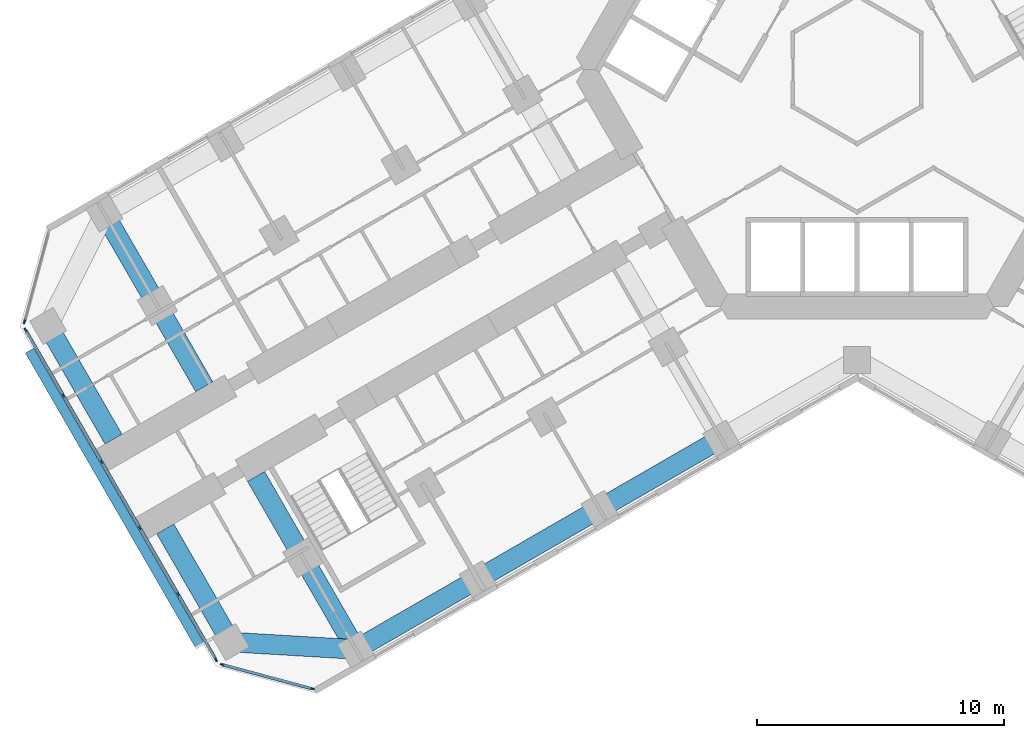
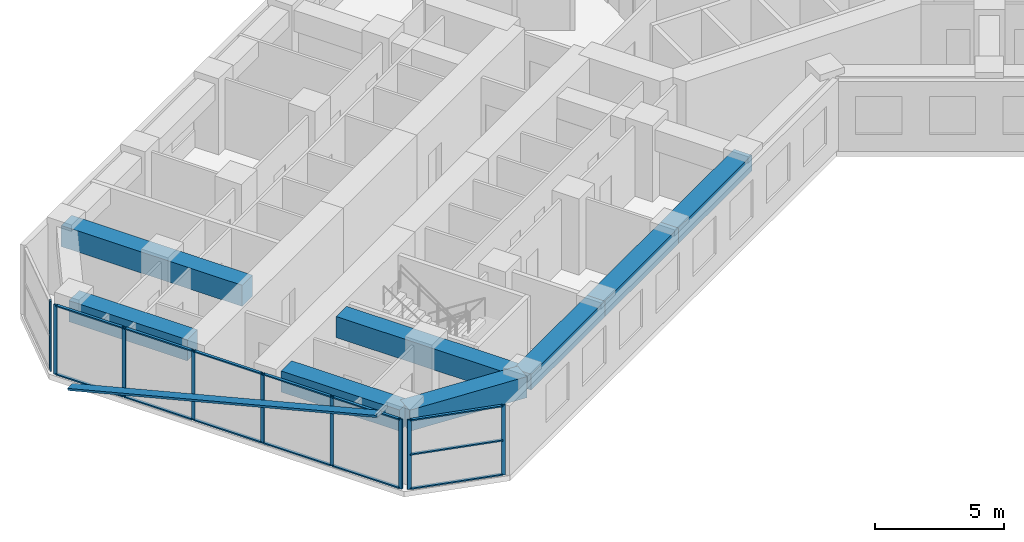
# One storey, part 2 of 21: 23 members, 8 beams, 3 elements without a shape of their own.
"""IFC4 building model written with IfcOpenShell, lengths in metres."""

import ifcopenshell
import ifcopenshell.guid

model = None  # the IFC model being written
_history = None  # IfcOwnerHistory: only IFC2X3 demands one
_inside = {}  # id of a spatial element -> (the spatial element, [elements in it])
_under = {}  # id of a project, library or spatial element -> (it, [spatial elements below it])
_declared = {}  # id of a project -> (the project, [libraries it declares])
_typed = {}  # id of a type object -> (the type object, [elements of that type])
_made_of = {}  # id of a material, layer set ... -> (it, [elements and type objects made of it])


def new_model(schema):
    """Start an empty IFC model of exactly this schema.

    Asked for "IFC4X3", IfcOpenShell would pick the latest addendum, in which some entities
    have other attributes; the version numbers below select the first issue.
    IFC2X3 requires an IfcOwnerHistory on every rooted entity: one is made here for all.
    """
    global model, _history
    if schema == "IFC4X3":
        model = ifcopenshell.file(schema_version=(4, 3, 0, 0))
    else:
        model = ifcopenshell.file(schema=schema)
    _inside.clear()
    _under.clear()
    _declared.clear()
    _typed.clear()
    _made_of.clear()
    _history = None
    if model.schema == "IFC2X3":
        org = make("IfcOrganization", Name="unknown")
        user = make(
            "IfcPersonAndOrganization",
            ThePerson=make("IfcPerson", FamilyName="unknown"),
            TheOrganization=org,
        )
        app = make(
            "IfcApplication",
            ApplicationDeveloper=org,
            Version="unknown",
            ApplicationFullName="unknown",
            ApplicationIdentifier="unknown",
        )
        _history = make(
            "IfcOwnerHistory",
            OwningUser=user,
            OwningApplication=app,
            ChangeAction="ADDED",
            CreationDate=0,
        )
    return model


def make(cls, **values):
    """One entity of the class cls with the attributes given. An attribute that is None is left unset."""
    return model.create_entity(
        cls, **{name: value for name, value in values.items() if value is not None}
    )


def rooted(cls, **values):
    """An entity with a GlobalId (a new one), such as an element, a storey or a relation."""
    return make(cls, GlobalId=ifcopenshell.guid.new(), OwnerHistory=_history, **values)


def si_unit(unit_type, name, prefix=None):
    """IfcSIUnit, for example si_unit("LENGTHUNIT", "METRE", prefix="MILLI")."""
    return make("IfcSIUnit", UnitType=unit_type, Prefix=prefix, Name=name)


def assignment(units):
    """IfcUnitAssignment: the units of a project."""
    return None if units is None else make("IfcUnitAssignment", Units=units)


def point(xyz):
    """IfcCartesianPoint."""
    return None if xyz is None else make("IfcCartesianPoint", Coordinates=xyz)


def direction(xyz):
    """IfcDirection."""
    return None if xyz is None else make("IfcDirection", DirectionRatios=xyz)


def frame(location, z_axis=None, x_axis=None):
    """IfcAxis2Placement3D, a coordinate frame: its origin and axes. An axis left out is left unset."""
    return make(
        "IfcAxis2Placement3D",
        Location=point(location),
        Axis=direction(z_axis),
        RefDirection=direction(x_axis),
    )


def frame_2d(location, x_axis=None):
    """IfcAxis2Placement2D, a coordinate frame in the plane: its origin and x axis."""
    return make(
        "IfcAxis2Placement2D", Location=point(location), RefDirection=direction(x_axis)
    )


def origin():
    """The frame at (0, 0, 0) with its axes left unset."""
    return frame((0.0, 0.0, 0.0))


def origin_2d():
    """The frame at (0, 0) in the plane with its x axis left unset."""
    return frame_2d((0.0, 0.0))


def place(relative_to, where):
    """IfcLocalPlacement: puts the frame where relative to a parent placement (None: the world)."""
    return make(
        "IfcLocalPlacement", PlacementRelTo=relative_to, RelativePlacement=where
    )


def context(
    kind, dimensions, precision=None, world=None, true_north=None, identifier=None
):
    """IfcGeometricRepresentationContext, for example the 3D "Model" context."""
    return make(
        "IfcGeometricRepresentationContext",
        ContextIdentifier=identifier,
        ContextType=kind,
        CoordinateSpaceDimension=dimensions,
        Precision=precision,
        WorldCoordinateSystem=world,
        TrueNorth=true_north,
    )


def subcontext(parent, identifier, kind, view, scale=None):
    """IfcGeometricRepresentationSubContext, for example "Body" below "Model"."""
    return make(
        "IfcGeometricRepresentationSubContext",
        ContextIdentifier=identifier,
        ContextType=kind,
        ParentContext=parent,
        TargetScale=scale,
        TargetView=view,
    )


def project(units=None, contexts=None):
    """IfcProject with its units and contexts."""
    return rooted(
        "IfcProject",
        Name="project",
        RepresentationContexts=contexts,
        UnitsInContext=assignment(units),
    )


def spatial(cls, under=None, at=None, **own):
    """A site, building, storey or space (cls), placed at a placement, below another one or the project."""
    s = rooted(cls, ObjectPlacement=at, **own)
    if under is not None:
        _under.setdefault(under.id(), (under, []))[1].append(s)
    return s


def profile(cls, at=None, kind="AREA", **sizes):
    """A parametric profile (cls). Its sizes go by their IFC names, for example OverallWidth=200.0."""
    return make(cls, ProfileType=kind, Position=at, **sizes)


def rectangle(**sizes):
    """IfcRectangleProfileDef."""
    return profile("IfcRectangleProfileDef", **sizes)


def extrude(swept, where, along, depth):
    """IfcExtrudedAreaSolid: the profile swept, set in the frame where, extruded along a direction by depth."""
    return make(
        "IfcExtrudedAreaSolid",
        SweptArea=swept,
        Position=where,
        ExtrudedDirection=direction(along),
        Depth=depth,
    )


def shape(context_of_items, identifier, shape_type, items):
    """IfcShapeRepresentation: the items that make up one representation, for example the "Body"."""
    return make(
        "IfcShapeRepresentation",
        ContextOfItems=context_of_items,
        RepresentationIdentifier=identifier,
        RepresentationType=shape_type,
        Items=items,
    )


def material(Name=None, Category=None):
    """IfcMaterial."""
    return make("IfcMaterial", Name=Name, Category=Category)


def material_profile(
    of_material, cross_section, Name=None, Category=None, Priority=None
):
    """IfcMaterialProfile: a cross section and its material."""
    return make(
        "IfcMaterialProfile",
        Name=Name,
        Material=of_material,
        Profile=cross_section,
        Priority=Priority,
        Category=Category,
    )


def profile_set(profiles, Name=None, composite=None):
    """IfcMaterialProfileSet."""
    return make(
        "IfcMaterialProfileSet",
        Name=Name,
        MaterialProfiles=profiles,
        CompositeProfile=composite,
    )


def made_of(thing, what):
    """Note that an element or type object is made of a material, layer set ...; save() writes the relation."""
    if what is not None:
        _made_of.setdefault(what.id(), (what, []))[1].append(thing)
    return thing


def type_object(cls, material=None, **own):
    """A type object (cls), such as IfcWallType, which elements share."""
    return made_of(rooted(cls, **own), material)


def element(
    cls,
    number,
    at=None,
    inside=None,
    cuts=None,
    type_object=None,
    material=None,
    context=None,
    identifier="Body",
    shape_type=None,
    held_by="IfcProductDefinitionShape",
    body=None,
    shapes=None,
    **own,
):
    """One element of the class cls, such as IfcWall. Its Tag is "e" and its number.

    at: its placement. inside: the storey or other place that contains it. cuts: it is an
    opening in that element (IfcRelVoidsElement). A single representation is given by context,
    identifier, shape_type and body (its items); several are given by shapes. held_by: the class
    of the entity that holds the representations. save() writes the other relations.
    """
    e = rooted(cls, Tag="e%d" % number, ObjectPlacement=at, **own)
    if body is not None:
        shapes = [shape(context, identifier, shape_type, body)]
    if shapes is not None:
        e.Representation = make(held_by, Representations=shapes)
    if inside is not None:
        _inside.setdefault(inside.id(), (inside, []))[1].append(e)
    if cuts is not None:
        rooted(
            "IfcRelVoidsElement", RelatingBuildingElement=cuts, RelatedOpeningElement=e
        )
    if type_object is not None:
        _typed.setdefault(type_object.id(), (type_object, []))[1].append(e)
    return made_of(e, material)


def aggregate(whole, parts):
    """IfcRelAggregates: a whole, such as a stair, and the parts it consists of."""
    return rooted("IfcRelAggregates", RelatingObject=whole, RelatedObjects=parts)


def save(model, path):
    """Write the relations noted so far, then the file.

    IfcRelAggregates (storeys below a building ...), IfcRelContainedInSpatialStructure (elements
    in a storey), IfcRelDefinesByType, IfcRelAssociatesMaterial and IfcRelDeclares: one each for
    every whole, place, type object, material and project.
    """
    for whole, parts in _under.values():
        aggregate(whole, parts)
    for where, things in _inside.values():
        rooted(
            "IfcRelContainedInSpatialStructure",
            RelatedElements=things,
            RelatingStructure=where,
        )
    for kind, things in _typed.values():
        rooted("IfcRelDefinesByType", RelatedObjects=things, RelatingType=kind)
    for what, things in _made_of.values():
        rooted("IfcRelAssociatesMaterial", RelatedObjects=things, RelatingMaterial=what)
    for by, libraries in _declared.values():
        rooted("IfcRelDeclares", RelatingContext=by, RelatedDefinitions=libraries)
    model.write(path)


model = new_model("IFC4")

# Units and contexts
model_context = context("Model", 3, precision=1e-05, world=origin(), true_north=direction((0.0, 1.0)))
body_context = subcontext(model_context, "Body", "Model", "MODEL_VIEW")
ifc_project = project(units=[si_unit("LENGTHUNIT", "METRE"), si_unit("AREAUNIT", "SQUARE_METRE"), si_unit("VOLUMEUNIT", "CUBIC_METRE"), si_unit("PLANEANGLEUNIT", "RADIAN"), si_unit("MASSUNIT", "GRAM", prefix="KILO")], contexts=[model_context])

# Site, building, storey
site_placement = place(None, origin())
site = spatial("IfcSite", under=ifc_project, at=site_placement, CompositionType="ELEMENT")
building_placement = place(site_placement, origin())
building = spatial("IfcBuilding", under=site, at=building_placement, Name="Kosmar Iwan School Tower", CompositionType="ELEMENT")
storey_placement = place(building_placement, frame((0.0, 0.0, 28.800048828125)))
storey = spatial("IfcBuildingStorey", under=building, at=storey_placement, Name="L06", CompositionType="ELEMENT", Elevation=28.800048828125)

# Beams
ifc_material_1 = material(Name="Concrete C50/60", Category="concrete")
ifc_material_profile_1 = material_profile(ifc_material_1, rectangle(XDim=0.800048828125, YDim=0.75, at=origin_2d()), Name="RC 800x750 + HD 400x634")
ifc_profile_set_1 = profile_set([ifc_material_profile_1], Name="Concrete C50/60")
beam_type_1 = type_object("IfcBeamType", Name="Composite edge beam 800x750 HD 400x634", PredefinedType="BEAM", material=ifc_profile_set_1)
beam_1_placement = place(storey_placement, frame((-5.5087890625, -14.95849609375, 2.925048828125), z_axis=(-0.866033658841, -0.49998570155, 0.0), x_axis=(0.49998570155, -0.866033658841, 0.0)))
element("IfcBeam", 1, at=beam_1_placement, inside=storey, type_object=beam_type_1, Name="Edge beam BL2", PredefinedType="BEAM", context=body_context, shape_type="SweptSolid", body=[
    extrude(rectangle(XDim=0.800048828125, YDim=0.75, at=origin_2d()), origin(), (0.0, 0.0, 1.0), 5.699951171875),
])
beam_2_placement = place(storey_placement, frame((-10.445068359375, -17.808349609375, 2.925048828125), z_axis=(-0.866025820012, -0.499999279071, 0.0), x_axis=(0.499999279071, -0.866025820012, 0.0)))
element("IfcBeam", 2, at=beam_2_placement, inside=storey, type_object=beam_type_1, Name="Edge beam BL3", PredefinedType="BEAM", context=body_context, shape_type="SweptSolid", body=[
    extrude(rectangle(XDim=0.800048828125, YDim=0.75, at=origin_2d()), origin(), (0.0, 0.0, 1.0), 5.7001953125),
])
beam_3_placement = place(storey_placement, frame((-15.381591796875, -20.658447265625, 2.925048828125), z_axis=(-0.866015111908, -0.50001782563, 0.0), x_axis=(0.50001782563, -0.866015111908, 0.0)))
element("IfcBeam", 3, at=beam_3_placement, inside=storey, type_object=beam_type_1, Name="Edge beam BL4", PredefinedType="BEAM", context=body_context, shape_type="SweptSolid", body=[
    extrude(rectangle(XDim=0.800048828125, YDim=0.75, at=origin_2d()), origin(), (0.0, 0.0, 1.0), 5.699951171875),
])
ifc_material_2 = material(Name="Concrete C50/60", Category="concrete")
ifc_material_profile_2 = material_profile(ifc_material_2, rectangle(XDim=0.800048828125, YDim=1.0, at=origin_2d()), Name="RC 800x1000 + HD 400x347")
ifc_profile_set_2 = profile_set([ifc_material_profile_2], Name="Concrete C50/60")
beam_type_2 = type_object("IfcBeamType", Name="Composite tip beam 800x1000 HD 400x347", PredefinedType="BEAM", material=ifc_profile_set_2)
beam_4_placement = place(storey_placement, frame((-20.31787109375, -23.508544921875, 2.800048828125), z_axis=(-0.998260616478, 0.058955420358, 0.0), x_axis=(-0.058955420358, -0.998260616478, 0.0)))
element("IfcBeam", 4, at=beam_4_placement, inside=storey, type_object=beam_type_2, Name="Tip beam BL", PredefinedType="BEAM", context=body_context, shape_type="SweptSolid", body=[
    extrude(rectangle(XDim=0.800048828125, YDim=1.0, at=origin_2d()), origin(), (0.0, 0.0, 1.0), 5.08935546875),
])
beam_5_placement = place(storey_placement, frame((-25.3984375, -23.20849609375, 2.800048828125), z_axis=(-0.499993606316, 0.866029095148, 0.0), x_axis=(-0.866029095148, -0.499993606316, 0.0)))
element("IfcBeam", 5, at=beam_5_placement, inside=storey, type_object=beam_type_2, Name="Tip beam BL to corridor wall", PredefinedType="BEAM", context=body_context, shape_type="SweptSolid", body=[
    extrude(rectangle(XDim=0.800048828125, YDim=1.0, at=origin_2d()), origin(), (0.0, 0.0, 1.0), 5.2998046875),
])
beam_6_placement = place(storey_placement, frame((-32.79833984375, -10.391357421875, 2.800048828125), z_axis=(0.499973660256, -0.866040610509, 0.0), x_axis=(0.866040610509, 0.499973660256, 0.0)))
element("IfcBeam", 6, at=beam_6_placement, inside=storey, type_object=beam_type_2, Name="Tip beam BR to corridor wall", PredefinedType="BEAM", context=body_context, shape_type="SweptSolid", body=[
    extrude(rectangle(XDim=0.800048828125, YDim=1.0, at=origin_2d()), origin(), (0.0, 0.0, 1.0), 5.300048828125),
])
ifc_material_3 = material(Name="Concrete C50/60", Category="concrete")
ifc_material_profile_3 = material_profile(ifc_material_3, rectangle(XDim=0.800048828125, YDim=1.0, at=origin_2d()), Name="RC 800x1000 + HD 400x634")
ifc_profile_set_3 = profile_set([ifc_material_profile_3], Name="Concrete C50/60")
beam_type_3 = type_object("IfcBeamType", Name="Composite transverse beam 800x1000 HD 400x634", PredefinedType="BEAM", material=ifc_profile_set_3)
for number, where, z_axis, x_axis, name in (
    (7, (-20.31787109375, -23.508544921875, 2.800048828125), (-0.499999880539, 0.866025472755, 0.0), (-0.866025472755, -0.499999880539, 0.0), "Transverse beam BL4"),
    (8, (-30.517822265625, -5.841552734375, 2.800048828125), (0.499999880539, -0.866025472755, 0.0), (0.866025472755, 0.499999880539, 0.0), "Transverse beam BR4"),
):
    element("IfcBeam", number, at=place(storey_placement, frame(where, z_axis=z_axis, x_axis=x_axis)), inside=storey, type_object=beam_type_3, Name=name, PredefinedType="BEAM", context=body_context, shape_type="SweptSolid", body=[
        extrude(rectangle(XDim=0.800048828125, YDim=1.0, at=origin_2d()), origin(), (0.0, 0.0, 1.0), 8.10009765625),
    ])

# Member
ifc_material_4 = material(Name="Black anodised aluminium", Category="aluminium")
ifc_material_profile_4 = material_profile(ifc_material_4, rectangle(XDim=0.10009765625, YDim=0.39990234375, at=origin_2d()), Name="FIN 100x400")
ifc_profile_set_4 = profile_set([ifc_material_profile_4], Name="Black anodised aluminium")
member_type_1 = type_object("IfcMemberType", Name="Diagonal fin 100x400", PredefinedType="USERDEFINED", material=ifc_profile_set_4)
member_1_placement = place(storey_placement, frame((-33.54345703125, -11.40087890625, -0.150146484375), z_axis=(0.484219792667, -0.838708782627, 0.249196248635), x_axis=(-0.124596397335, 0.21581127891, 0.968453008497)))
element("IfcMember", 9, at=member_1_placement, inside=storey, type_object=member_type_1, Name="Diagonal fin L06-F13", ObjectType="FIN", PredefinedType="USERDEFINED", context=body_context, shape_type="SweptSolid", body=[
    extrude(rectangle(XDim=0.10009765625, YDim=0.39990234375, at=origin_2d()), origin(), (0.0, 0.0, 1.0), 14.24609375),
])

# Curtain wall, member
ifc_material_5 = material(Name="Dark glass in black aluminium frame", Category="aluminium")
curtain_wall_type_1 = type_object("IfcCurtainWallType", Name="Chamfer curtain wall dark glass", PredefinedType="USERDEFINED", material=ifc_material_5)
curtain_wall_1_placement = place(storey_placement, origin())
curtain_wall_1 = element("IfcCurtainWall", 10, at=curtain_wall_1_placement, inside=storey, type_object=curtain_wall_type_1, Name="Curtain wall L06-F12", ObjectType="FACETED CURTAIN WALL", PredefinedType="USERDEFINED")
ifc_material_6 = material(Name="Black anodised aluminium", Category="aluminium")
ifc_material_profile_5 = material_profile(ifc_material_6, rectangle(XDim=0.06005859375, YDim=0.159912109375, at=origin_2d()), Name="MULLION 60x160")
ifc_profile_set_5 = profile_set([ifc_material_profile_5], Name="Black anodised aluminium")
member_type_2 = type_object("IfcMemberType", Name="Mullion 60x160", PredefinedType="MULLION", material=ifc_profile_set_5)
member_2_placement = place(storey_placement, frame((-33.7587890625, -10.2236328125, 0.0), z_axis=(0.0, 0.0, 1.0), x_axis=(0.965925875495, -0.258818861462, 0.0)))
member_2 = element("IfcMember", 11, at=member_2_placement, type_object=member_type_2, Name="CW2 mullion 2", PredefinedType="MULLION", context=body_context, shape_type="SweptSolid", body=[
    extrude(rectangle(XDim=0.06005859375, YDim=0.159912109375, at=origin_2d()), origin(), (0.0, 0.0, 1.0), 3.300048828125),
])
aggregate(curtain_wall_1, [member_2])

# Curtain wall, members
ifc_material_7 = material(Name="Dark glass in black aluminium frame", Category="aluminium")
curtain_wall_type_2 = type_object("IfcCurtainWallType", Name="Tower curtain wall dark glass", PredefinedType="USERDEFINED", material=ifc_material_7)
curtain_wall_2_placement = place(storey_placement, origin())
curtain_wall_2 = element("IfcCurtainWall", 12, at=curtain_wall_2_placement, inside=storey, type_object=curtain_wall_type_2, Name="Curtain wall L06-F13", ObjectType="UNITISED CURTAIN WALL", PredefinedType="USERDEFINED")
member_3_placement = place(storey_placement, frame((-33.71533203125, -10.55322265625, 0.0), z_axis=(0.0, 0.0, 1.0), x_axis=(0.866025405329, 0.499999997325, 0.0)))
member_3 = element("IfcMember", 13, at=member_3_placement, type_object=member_type_2, Name="CW1 mullion 1", PredefinedType="MULLION", context=body_context, shape_type="SweptSolid", body=[
    extrude(rectangle(XDim=0.06005859375, YDim=0.159912109375, at=origin_2d()), origin(), (0.0, 0.0, 1.0), 3.300048828125),
])
member_4_placement = place(storey_placement, frame((-32.1806640625, -13.21142578125, 0.0), z_axis=(0.0, 0.0, 1.0), x_axis=(0.866025405329, 0.499999997325, 0.0)))
member_4 = element("IfcMember", 14, at=member_4_placement, type_object=member_type_2, Name="CW1 mullion 2", PredefinedType="MULLION", context=body_context, shape_type="SweptSolid", body=[
    extrude(rectangle(XDim=0.06005859375, YDim=0.159912109375, at=origin_2d()), origin(), (0.0, 0.0, 1.0), 3.300048828125),
])
member_5_placement = place(storey_placement, frame((-30.631103515625, -15.8955078125, 0.0), z_axis=(0.0, 0.0, 1.0), x_axis=(0.866025405329, 0.499999997325, 0.0)))
member_5 = element("IfcMember", 15, at=member_5_placement, type_object=member_type_2, Name="CW1 mullion 3", PredefinedType="MULLION", context=body_context, shape_type="SweptSolid", body=[
    extrude(rectangle(XDim=0.06005859375, YDim=0.159912109375, at=origin_2d()), origin(), (0.0, 0.0, 1.0), 3.300048828125),
])
member_6_placement = place(storey_placement, frame((-29.081298828125, -18.57958984375, 0.0), z_axis=(0.0, 0.0, 1.0), x_axis=(0.866025405329, 0.499999997325, 0.0)))
member_6 = element("IfcMember", 16, at=member_6_placement, type_object=member_type_2, Name="CW1 mullion 4", PredefinedType="MULLION", context=body_context, shape_type="SweptSolid", body=[
    extrude(rectangle(XDim=0.06005859375, YDim=0.159912109375, at=origin_2d()), origin(), (0.0, 0.0, 1.0), 3.300048828125),
])
member_7_placement = place(storey_placement, frame((-27.53173828125, -21.263671875, 0.0), z_axis=(0.0, 0.0, 1.0), x_axis=(0.866025405329, 0.499999997325, 0.0)))
member_7 = element("IfcMember", 17, at=member_7_placement, type_object=member_type_2, Name="CW1 mullion 5", PredefinedType="MULLION", context=body_context, shape_type="SweptSolid", body=[
    extrude(rectangle(XDim=0.06005859375, YDim=0.159912109375, at=origin_2d()), origin(), (0.0, 0.0, 1.0), 3.300048828125),
])
member_8_placement = place(storey_placement, frame((-25.9970703125, -23.921630859375, 0.0), z_axis=(0.0, 0.0, 1.0), x_axis=(0.866025405329, 0.499999997325, 0.0)))
member_8 = element("IfcMember", 18, at=member_8_placement, type_object=member_type_2, Name="CW1 mullion 6", PredefinedType="MULLION", context=body_context, shape_type="SweptSolid", body=[
    extrude(rectangle(XDim=0.06005859375, YDim=0.159912109375, at=origin_2d()), origin(), (0.0, 0.0, 1.0), 3.300048828125),
])

curtain_wall_3_placement = place(storey_placement, origin())
curtain_wall_3 = element("IfcCurtainWall", 19, at=curtain_wall_3_placement, inside=storey, type_object=curtain_wall_type_1, Name="Curtain wall L06-F14", ObjectType="FACETED CURTAIN WALL", PredefinedType="USERDEFINED")
member_9_placement = place(storey_placement, frame((-25.733154296875, -24.124267578125, 0.0), z_axis=(0.0, 0.0, 1.0), x_axis=(0.258818861462, 0.965925875495, 0.0)))
member_9 = element("IfcMember", 20, at=member_9_placement, type_object=member_type_2, Name="CW2 mullion 1", PredefinedType="MULLION", context=body_context, shape_type="SweptSolid", body=[
    extrude(rectangle(XDim=0.06005859375, YDim=0.159912109375, at=origin_2d()), origin(), (0.0, 0.0, 1.0), 3.300048828125),
])
member_10_placement = place(storey_placement, frame((-22.0830078125, -25.102294921875, 0.0), z_axis=(0.0, 0.0, 1.0), x_axis=(0.258818861462, 0.965925875495, 0.0)))
member_10 = element("IfcMember", 21, at=member_10_placement, type_object=member_type_2, Name="CW2 mullion 2", PredefinedType="MULLION", context=body_context, shape_type="SweptSolid", body=[
    extrude(rectangle(XDim=0.06005859375, YDim=0.159912109375, at=origin_2d()), origin(), (0.0, 0.0, 1.0), 3.300048828125),
])

# Member
ifc_material_8 = material(Name="Black anodised aluminium", Category="aluminium")
ifc_material_profile_6 = material_profile(ifc_material_8, rectangle(XDim=0.1201171875, YDim=0.06005859375, at=origin_2d()), Name="TRANSOM 60x120")
ifc_profile_set_6 = profile_set([ifc_material_profile_6], Name="Black anodised aluminium")
member_type_3 = type_object("IfcMemberType", Name="Transom 60x120", PredefinedType="USERDEFINED", material=ifc_profile_set_6)
member_11_placement = place(storey_placement, frame((-33.700439453125, -10.579345703125, 0.030029296875), z_axis=(0.500022102064, -0.866012642776, 0.0), x_axis=(0.866012642776, 0.500022102064, 0.0)))
member_11 = element("IfcMember", 22, at=member_11_placement, type_object=member_type_3, Name="CW1 transom 1.1", ObjectType="TRANSOM", PredefinedType="USERDEFINED", context=body_context, shape_type="SweptSolid", body=[
    extrude(rectangle(XDim=0.1201171875, YDim=0.06005859375, at=origin_2d()), origin(), (0.0, 0.0, 1.0), 3.009033203125),
])

member_12_placement = place(storey_placement, frame((-33.700439453125, -10.579345703125, 3.27001953125), z_axis=(0.500022102064, -0.866012642776, 0.0), x_axis=(0.866012642776, 0.500022102064, 0.0)))
member_12 = element("IfcMember", 23, at=member_12_placement, type_object=member_type_3, Name="CW1 transom 1.2", ObjectType="TRANSOM", PredefinedType="USERDEFINED", context=body_context, shape_type="SweptSolid", body=[
    extrude(rectangle(XDim=0.1201171875, YDim=0.06005859375, at=origin_2d()), origin(), (0.0, 0.0, 1.0), 3.009033203125),
])

member_13_placement = place(storey_placement, frame((-32.165771484375, -13.2373046875, 0.030029296875), z_axis=(0.500035348339, -0.866004994449, 0.0), x_axis=(0.866004994449, 0.500035348339, 0.0)))
member_13 = element("IfcMember", 24, at=member_13_placement, type_object=member_type_3, Name="CW1 transom 2.1", ObjectType="TRANSOM", PredefinedType="USERDEFINED", context=body_context, shape_type="SweptSolid", body=[
    extrude(rectangle(XDim=0.1201171875, YDim=0.06005859375, at=origin_2d()), origin(), (0.0, 0.0, 1.0), 3.039306640625),
])

member_14_placement = place(storey_placement, frame((-32.165771484375, -13.2373046875, 3.27001953125), z_axis=(0.500035348339, -0.866004994449, 0.0), x_axis=(0.866004994449, 0.500035348339, 0.0)))
member_14 = element("IfcMember", 25, at=member_14_placement, type_object=member_type_3, Name="CW1 transom 2.2", ObjectType="TRANSOM", PredefinedType="USERDEFINED", context=body_context, shape_type="SweptSolid", body=[
    extrude(rectangle(XDim=0.1201171875, YDim=0.06005859375, at=origin_2d()), origin(), (0.0, 0.0, 1.0), 3.039306640625),
])

member_15_placement = place(storey_placement, frame((-30.615966796875, -15.92138671875, 0.030029296875), z_axis=(0.499975102327, -0.866039777986, 0.0), x_axis=(0.866039777986, 0.499975102327, 0.0)))
member_15 = element("IfcMember", 26, at=member_15_placement, type_object=member_type_3, Name="CW1 transom 3.1", ObjectType="TRANSOM", PredefinedType="USERDEFINED", context=body_context, shape_type="SweptSolid", body=[
    extrude(rectangle(XDim=0.1201171875, YDim=0.06005859375, at=origin_2d()), origin(), (0.0, 0.0, 1.0), 3.039306640625),
])

member_16_placement = place(storey_placement, frame((-30.615966796875, -15.92138671875, 3.27001953125), z_axis=(0.499975102327, -0.866039777986, 0.0), x_axis=(0.866039777986, 0.499975102327, 0.0)))
member_16 = element("IfcMember", 27, at=member_16_placement, type_object=member_type_3, Name="CW1 transom 3.2", ObjectType="TRANSOM", PredefinedType="USERDEFINED", context=body_context, shape_type="SweptSolid", body=[
    extrude(rectangle(XDim=0.1201171875, YDim=0.06005859375, at=origin_2d()), origin(), (0.0, 0.0, 1.0), 3.039306640625),
])

member_17_placement = place(storey_placement, frame((-29.06640625, -18.60546875, 0.030029296875), z_axis=(0.499975102327, -0.866039777986, 0.0), x_axis=(0.866039777986, 0.499975102327, 0.0)))
member_17 = element("IfcMember", 28, at=member_17_placement, type_object=member_type_3, Name="CW1 transom 4.1", ObjectType="TRANSOM", PredefinedType="USERDEFINED", context=body_context, shape_type="SweptSolid", body=[
    extrude(rectangle(XDim=0.1201171875, YDim=0.06005859375, at=origin_2d()), origin(), (0.0, 0.0, 1.0), 3.039306640625),
])

member_18_placement = place(storey_placement, frame((-29.06640625, -18.60546875, 3.27001953125), z_axis=(0.499975102327, -0.866039777986, 0.0), x_axis=(0.866039777986, 0.499975102327, 0.0)))
member_18 = element("IfcMember", 29, at=member_18_placement, type_object=member_type_3, Name="CW1 transom 4.2", ObjectType="TRANSOM", PredefinedType="USERDEFINED", context=body_context, shape_type="SweptSolid", body=[
    extrude(rectangle(XDim=0.1201171875, YDim=0.06005859375, at=origin_2d()), origin(), (0.0, 0.0, 1.0), 3.039306640625),
])

member_19_placement = place(storey_placement, frame((-27.516845703125, -21.28955078125, 0.030029296875), z_axis=(0.499986971506, -0.866032925658, 0.0), x_axis=(0.866032925658, 0.499986971506, 0.0)))
member_19 = element("IfcMember", 30, at=member_19_placement, type_object=member_type_3, Name="CW1 transom 5.1", ObjectType="TRANSOM", PredefinedType="USERDEFINED", context=body_context, shape_type="SweptSolid", body=[
    extrude(rectangle(XDim=0.1201171875, YDim=0.06005859375, at=origin_2d()), origin(), (0.0, 0.0, 1.0), 3.00927734375),
])

member_20_placement = place(storey_placement, frame((-27.516845703125, -21.28955078125, 3.27001953125), z_axis=(0.499986971506, -0.866032925658, 0.0), x_axis=(0.866032925658, 0.499986971506, 0.0)))
member_20 = element("IfcMember", 31, at=member_20_placement, type_object=member_type_3, Name="CW1 transom 5.2", ObjectType="TRANSOM", PredefinedType="USERDEFINED", context=body_context, shape_type="SweptSolid", body=[
    extrude(rectangle(XDim=0.1201171875, YDim=0.06005859375, at=origin_2d()), origin(), (0.0, 0.0, 1.0), 3.00927734375),
])

aggregate(curtain_wall_2, [member_3, member_4, member_5, member_6, member_7, member_8, member_11, member_12, member_13, member_14, member_15, member_16, member_17, member_18, member_19, member_20])

member_21_placement = place(storey_placement, frame((-25.704345703125, -24.1318359375, 0.030029296875), z_axis=(0.965923731726, -0.258826861991, 0.0), x_axis=(0.258826861991, 0.965923731726, 0.0)))
member_21 = element("IfcMember", 32, at=member_21_placement, type_object=member_type_3, Name="CW2 transom 1.1", ObjectType="TRANSOM", PredefinedType="USERDEFINED", context=body_context, shape_type="SweptSolid", body=[
    extrude(rectangle(XDim=0.1201171875, YDim=0.06005859375, at=origin_2d()), origin(), (0.0, 0.0, 1.0), 3.71923828125),
])

member_22_placement = place(storey_placement, frame((-25.704345703125, -24.1318359375, 1.64990234375), z_axis=(0.965923731726, -0.258826861991, 0.0), x_axis=(0.258826861991, 0.965923731726, 0.0)))
member_22 = element("IfcMember", 33, at=member_22_placement, type_object=member_type_3, Name="CW2 transom 1.2", ObjectType="TRANSOM", PredefinedType="USERDEFINED", context=body_context, shape_type="SweptSolid", body=[
    extrude(rectangle(XDim=0.1201171875, YDim=0.06005859375, at=origin_2d()), origin(), (0.0, 0.0, 1.0), 3.71923828125),
])

member_23_placement = place(storey_placement, frame((-25.704345703125, -24.1318359375, 3.27001953125), z_axis=(0.965923731726, -0.258826861991, 0.0), x_axis=(0.258826861991, 0.965923731726, 0.0)))
member_23 = element("IfcMember", 34, at=member_23_placement, type_object=member_type_3, Name="CW2 transom 1.3", ObjectType="TRANSOM", PredefinedType="USERDEFINED", context=body_context, shape_type="SweptSolid", body=[
    extrude(rectangle(XDim=0.1201171875, YDim=0.06005859375, at=origin_2d()), origin(), (0.0, 0.0, 1.0), 3.71923828125),
])

aggregate(curtain_wall_3, [member_9, member_10, member_21, member_22, member_23])

save(model, "model.ifc")
